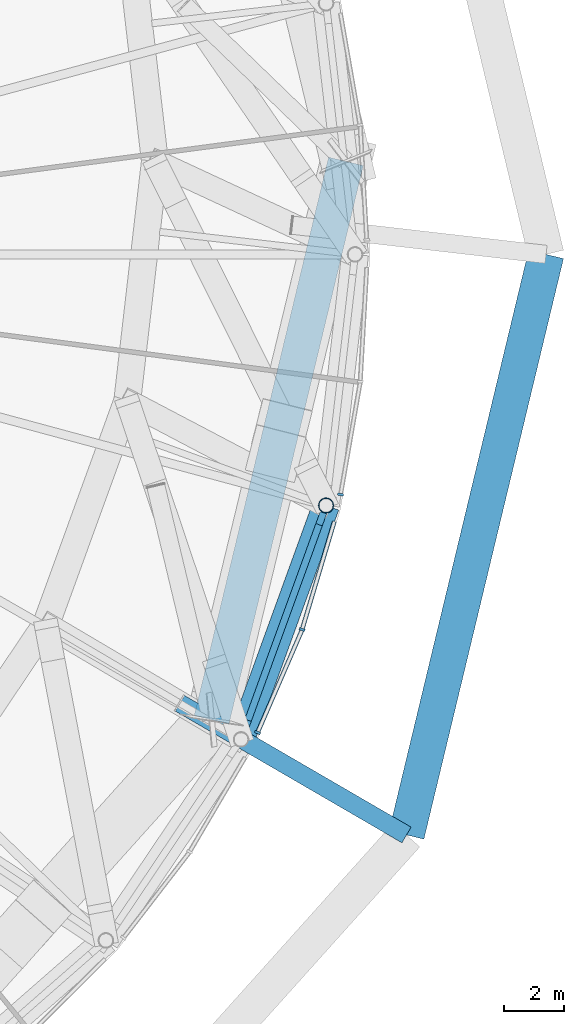
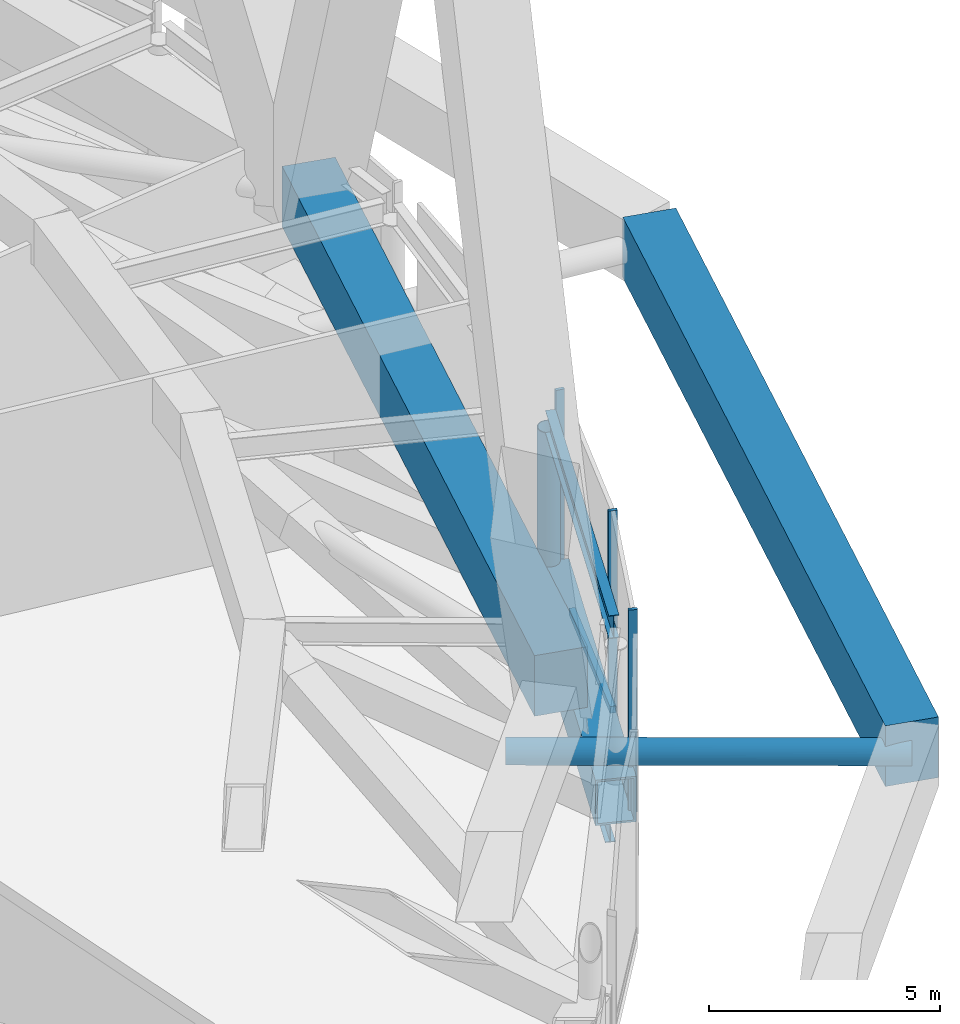
# One storey, part 24 of 51: 9 members, 3 beams, 3 elements without a shape of their own.
"""IFC4 building model written with IfcOpenShell, lengths in metres."""

from ifc_helpers import new_model, si_unit, direction, frame, origin, origin_2d, place, context, subcontext, project, spatial, rectangle, hollow_rectangle, hollow_circle, i_section, extrude, material, layer, layer_set, material_profile, profile_set, type_object, element, aggregate, save


model = new_model("IFC4")

# Units and contexts
model_context = context("Model", 3, precision=1e-05, world=origin(), true_north=direction((0.0, 1.0)))
body_context = subcontext(model_context, "Body", "Model", "MODEL_VIEW")
ifc_project = project(units=[si_unit("LENGTHUNIT", "METRE"), si_unit("AREAUNIT", "SQUARE_METRE"), si_unit("VOLUMEUNIT", "CUBIC_METRE"), si_unit("PLANEANGLEUNIT", "RADIAN"), si_unit("MASSUNIT", "GRAM", prefix="KILO")], contexts=[model_context])

# Site, building, storey
site_placement = place(None, origin())
site = spatial("IfcSite", under=ifc_project, at=site_placement, CompositionType="ELEMENT")
building_placement = place(site_placement, origin())
building = spatial("IfcBuilding", under=site, at=building_placement, Name="Nagisa Residences", CompositionType="ELEMENT")
storey_placement = place(building_placement, frame((0.0, 0.0, 67.699951171875)))
storey = spatial("IfcBuildingStorey", under=building, at=storey_placement, Name="L16", CompositionType="ELEMENT", Elevation=67.699951171875)

# Beam
ifc_material_1 = material(Name="Steel ASTM A572 Gr 50", Category="steel")
ifc_material_profile_1 = material_profile(ifc_material_1, hollow_rectangle(XDim=0.89990234375, YDim=1.199951171875, WallThickness=0.050048828125, at=origin_2d()), Name="BX 900x1200x50")
ifc_profile_set_1 = profile_set([ifc_material_profile_1], Name="Steel ASTM A572 Gr 50")
beam_type_1 = type_object("IfcBeamType", Name="Belt chord 1 BX 900x1200x50", PredefinedType="BEAM", material=ifc_profile_set_1)
beam_1_placement = place(storey_placement, frame((28.28173828125, -16.25, 0.60009765625), z_axis=(0.34140925968, 0.939914739434, 0.0), x_axis=(-0.939914739434, 0.34140925968, 0.0)))
element("IfcBeam", 1, at=beam_1_placement, inside=storey, type_object=beam_type_1, Name="beam:L16:bt1b23", PredefinedType="BEAM", context=body_context, shape_type="SweptSolid", body=[
    extrude(hollow_rectangle(XDim=0.89990234375, YDim=1.199951171875, WallThickness=0.050048828125, at=origin_2d()), origin(), (0.0, 0.0, 1.0), 8.33935546875),
])

# Curtain wall, member
ifc_material_2 = material(Name="Aluminium curtain wall system", Category="aluminium")
ifc_layer = layer(ifc_material_2, 0.159912109375)
ifc_layer_set = layer_set([ifc_layer], Name="CW2 CURTAIN WALL")
curtain_wall_type = type_object("IfcCurtainWallType", Name="CW2 CURTAIN WALL", PredefinedType="NOTDEFINED", material=ifc_layer_set)
curtain_wall_1_placement = place(storey_placement, origin())
curtain_wall_1 = element("IfcCurtainWall", 2, at=curtain_wall_1_placement, inside=storey, type_object=curtain_wall_type, Name="cw:CW2:L16:44", PredefinedType="NOTDEFINED")
ifc_material_3 = material(Name="Aluminium", Category="aluminium")
ifc_material_profile_2 = material_profile(ifc_material_3, rectangle(XDim=0.199951171875, YDim=0.080078125, at=origin_2d()), Name="CW2 MULLION 200x80")
ifc_profile_set_2 = profile_set([ifc_material_profile_2], Name="Aluminium")
member_type_1 = type_object("IfcMemberType", Name="CW2 MULLION 200x80", PredefinedType="MULLION", material=ifc_profile_set_2)
member_1_placement = place(storey_placement, frame((28.836181640625, -16.0185546875, 0.0), z_axis=(0.0, 0.0, 1.0), x_axis=(-0.917543276295, 0.397635934147, 0.0)))
member_1 = element("IfcMember", 3, at=member_1_placement, type_object=member_type_1, Name="CW2 mullion", PredefinedType="MULLION", context=body_context, shape_type="SweptSolid", body=[
    extrude(rectangle(XDim=0.199951171875, YDim=0.080078125, at=origin_2d()), origin(), (0.0, 0.0, 1.0), 5.340087890625),
])

curtain_wall_2_placement = place(storey_placement, origin())
curtain_wall_2 = element("IfcCurtainWall", 4, at=curtain_wall_2_placement, inside=storey, type_object=curtain_wall_type, Name="cw:CW2:L16:45", PredefinedType="NOTDEFINED")
member_2_placement = place(storey_placement, frame((30.327392578125, -12.5673828125, 0.0), z_axis=(0.0, 0.0, 1.0), x_axis=(-0.958271310082, 0.285860274038, 0.0)))
member_2 = element("IfcMember", 5, at=member_2_placement, type_object=member_type_1, Name="CW2 mullion", PredefinedType="MULLION", context=body_context, shape_type="SweptSolid", body=[
    extrude(rectangle(XDim=0.199951171875, YDim=0.080078125, at=origin_2d()), origin(), (0.0, 0.0, 1.0), 5.340087890625),
])

curtain_wall_3_placement = place(storey_placement, origin())
curtain_wall_3 = element("IfcCurtainWall", 6, at=curtain_wall_3_placement, inside=storey, type_object=curtain_wall_type, Name="cw:CW2:L16:46", PredefinedType="NOTDEFINED")
member_3_placement = place(storey_placement, frame((31.617431640625, -8.044677734375, 0.0), z_axis=(0.0, 0.0, 1.0), x_axis=(-0.985063604377, 0.172190868898, 0.0)))
member_3 = element("IfcMember", 7, at=member_3_placement, type_object=member_type_1, Name="CW2 mullion", PredefinedType="MULLION", context=body_context, shape_type="SweptSolid", body=[
    extrude(rectangle(XDim=0.199951171875, YDim=0.080078125, at=origin_2d()), origin(), (0.0, 0.0, 1.0), 5.340087890625),
])
aggregate(curtain_wall_3, [member_3])

# Member
ifc_material_4 = material(Name="Aluminium", Category="aluminium")
ifc_material_profile_3 = material_profile(ifc_material_4, rectangle(XDim=0.139892578125, YDim=0.179931640625, at=origin_2d()), Name="CW2 TRANSOM 140x180")
ifc_profile_set_3 = profile_set([ifc_material_profile_3], Name="Aluminium")
member_type_2 = type_object("IfcMemberType", Name="CW2 TRANSOM 140x180", PredefinedType="USERDEFINED", material=ifc_profile_set_3)
member_4_placement = place(storey_placement, frame((28.8203125, -16.05517578125, 0.090087890625), z_axis=(0.397629250024, 0.917546172966, 0.0), x_axis=(-0.917546172966, 0.397629250024, 0.0)))
member_4 = element("IfcMember", 8, at=member_4_placement, type_object=member_type_2, Name="CW2 transom", ObjectType="TRANSOM", PredefinedType="USERDEFINED", context=body_context, shape_type="SweptSolid", body=[
    extrude(rectangle(XDim=0.139892578125, YDim=0.179931640625, at=origin_2d()), origin(), (0.0, 0.0, 1.0), 3.769287109375),
])

aggregate(curtain_wall_1, [member_1, member_4])

member_5_placement = place(storey_placement, frame((30.31591796875, -12.605712890625, 0.090087890625), z_axis=(0.285832955611, 0.958279458972, 0.0), x_axis=(-0.958279458972, 0.285832955611, 0.0)))
member_5 = element("IfcMember", 9, at=member_5_placement, type_object=member_type_2, Name="CW2 transom", ObjectType="TRANSOM", PredefinedType="USERDEFINED", context=body_context, shape_type="SweptSolid", body=[
    extrude(rectangle(XDim=0.139892578125, YDim=0.179931640625, at=origin_2d()), origin(), (0.0, 0.0, 1.0), 3.8154296875),
])

aggregate(curtain_wall_2, [member_2, member_5])

# Members
ifc_material_5 = material(Name="Concrete C80", Category="concrete")
ifc_material_profile_4 = material_profile(ifc_material_5, rectangle(XDim=1.199951171875, YDim=1.60009765625, at=origin_2d()), Name="C80 1200x1600")
ifc_profile_set_4 = profile_set([ifc_material_profile_4], Name="Concrete C80")
member_type_3 = type_object("IfcMemberType", Name="Cage ring 1 C80 1200x1600", PredefinedType="CHORD", material=ifc_profile_set_4)
member_6_placement = place(storey_placement, frame((33.82421875, -19.449951171875, 1.900146484375), z_axis=(0.233741287483, 0.972298827792, 0.0), x_axis=(-0.972298827792, 0.233741287483, 0.0)))
element("IfcMember", 10, at=member_6_placement, inside=storey, type_object=member_type_3, Name="beam:L16:cg1r212", PredefinedType="CHORD", context=body_context, shape_type="SweptSolid", body=[
    extrude(rectangle(XDim=1.199951171875, YDim=1.60009765625, at=origin_2d()), origin(), (0.0, 0.0, 1.0), 20.004150390625),
])
ifc_material_6 = material(Name="Concrete C80", Category="concrete")
ifc_material_profile_5 = material_profile(ifc_material_6, rectangle(XDim=1.199951171875, YDim=1.60009765625, at=origin_2d()), Name="C80 1200x1600")
ifc_profile_set_5 = profile_set([ifc_material_profile_5], Name="Concrete C80")
member_type_4 = type_object("IfcMemberType", Name="Cage ring 2 C80 1200x1600", PredefinedType="CHORD", material=ifc_profile_set_5)
member_7_placement = place(storey_placement, frame((27.294189453125, -15.58984375, 3.699951171875), z_axis=(0.233909916693, 0.972258273749, 0.0), x_axis=(-0.972258273749, 0.233909916693, 0.0)))
element("IfcMember", 11, at=member_7_placement, inside=storey, type_object=member_type_4, Name="beam:L16:cg2r012", PredefinedType="CHORD", context=body_context, shape_type="SweptSolid", body=[
    extrude(rectangle(XDim=1.199951171875, YDim=1.60009765625, at=origin_2d()), origin(), (0.0, 0.0, 1.0), 19.2412109375),
])
ifc_material_7 = material(Name="Steel ASTM A572 Gr 65", Category="steel")
ifc_material_profile_6 = material_profile(ifc_material_7, hollow_circle(Radius=0.304931640625, WallThickness=0.02490234375, at=origin_2d()), Name="CHS 610x25")
ifc_profile_set_6 = profile_set([ifc_material_profile_6], Name="Steel ASTM A572 Gr 65")
member_type_5 = type_object("IfcMemberType", Name="Cage strut CHS 610x25", PredefinedType="STRUT", material=ifc_profile_set_6)
member_8_placement = place(storey_placement, frame((33.82421875, -19.449951171875, 1.900146484375), z_axis=(-0.864627679963, 0.502413151741, 0.0), x_axis=(-0.502413151741, -0.864627679963, 0.0)))
element("IfcMember", 12, at=member_8_placement, inside=storey, type_object=member_type_5, Name="mem:L16:bt1st1a12", PredefinedType="STRUT", context=body_context, shape_type="SweptSolid", body=[
    extrude(hollow_circle(Radius=0.304931640625, WallThickness=0.02490234375, at=origin_2d()), origin(), (0.0, 0.0, 1.0), 8.78173828125),
])

# Beam
ifc_material_8 = material(Name="Steel ASTM A572 Gr 50", Category="steel")
ifc_material_profile_7 = material_profile(ifc_material_8, i_section(OverallWidth=0.22802734375, OverallDepth=0.60302734375, WebThickness=0.010498046875, FlangeThickness=0.014892578125, at=origin_2d()), Name="W610x101")
ifc_profile_set_7 = profile_set([ifc_material_profile_7], Name="Steel ASTM A572 Gr 50")
beam_type_2 = type_object("IfcBeamType", Name="Garden edge beam W610x101", PredefinedType="BEAM", material=ifc_profile_set_7)
beam_2_placement = place(storey_placement, frame((28.361572265625, -16.030029296875, 5.03857421875), z_axis=(0.341424280308, 0.939909283291, 0.0), x_axis=(-0.939909283291, 0.341424280308, 0.0)))
element("IfcBeam", 13, at=beam_2_placement, inside=storey, type_object=beam_type_2, Name="beam:L16:bt1ge23", PredefinedType="BEAM", context=body_context, shape_type="SweptSolid", body=[
    extrude(i_section(OverallWidth=0.22802734375, OverallDepth=0.60302734375, WebThickness=0.010498046875, FlangeThickness=0.014892578125, at=origin_2d()), origin(), (0.0, 0.0, 1.0), 7.871337890625),
])

# Member
ifc_material_9 = material(Name="Steel ASTM A572 Gr 65", Category="steel")
ifc_material_profile_8 = material_profile(ifc_material_9, hollow_circle(Radius=0.25390625, WallThickness=0.02001953125, at=origin_2d()), Name="CHS 508x20")
ifc_profile_set_8 = profile_set([ifc_material_profile_8], Name="Steel ASTM A572 Gr 65")
member_type_6 = type_object("IfcMemberType", Name="Garden edge post CHS 508x20", PredefinedType="POST", material=ifc_profile_set_8)
member_9_placement = place(storey_placement, frame((31.12890625, -8.41162109375, 1.199951171875), z_axis=(0.0, 0.0, 1.0), x_axis=(1.0, 0.0, 0.0)))
element("IfcMember", 14, at=member_9_placement, inside=storey, type_object=member_type_6, Name="mem:L16:gp124", PredefinedType="POST", context=body_context, shape_type="SweptSolid", body=[
    extrude(hollow_circle(Radius=0.25390625, WallThickness=0.02001953125, at=origin_2d()), origin(), (0.0, 0.0, 1.0), 3.537109375),
])

# Beam
ifc_material_10 = material(Name="Steel ASTM A572 Gr 50", Category="steel")
ifc_material_profile_9 = material_profile(ifc_material_10, i_section(OverallWidth=0.22900390625, OverallDepth=0.612060546875, WebThickness=0.011962890625, FlangeThickness=0.01953125, at=origin_2d()), Name="W610x125")
ifc_profile_set_9 = profile_set([ifc_material_profile_9], Name="Steel ASTM A572 Gr 50")
beam_type_3 = type_object("IfcBeamType", Name="Perimeter ring beam W610x125", PredefinedType="BEAM", material=ifc_profile_set_9)
beam_3_placement = place(storey_placement, frame((28.515625, -15.60595703125, -0.656005859375), z_axis=(0.341411143183, 0.939914055279, 0.0), x_axis=(-0.939914055279, 0.341411143183, 0.0)))
element("IfcBeam", 15, at=beam_3_placement, inside=storey, type_object=beam_type_3, Name="beam:L16:pb23", PredefinedType="BEAM", context=body_context, shape_type="SweptSolid", body=[
    extrude(i_section(OverallWidth=0.22900390625, OverallDepth=0.612060546875, WebThickness=0.011962890625, FlangeThickness=0.01953125, at=origin_2d()), origin(), (0.0, 0.0, 1.0), 6.96923828125),
])

save(model, "model.ifc")
